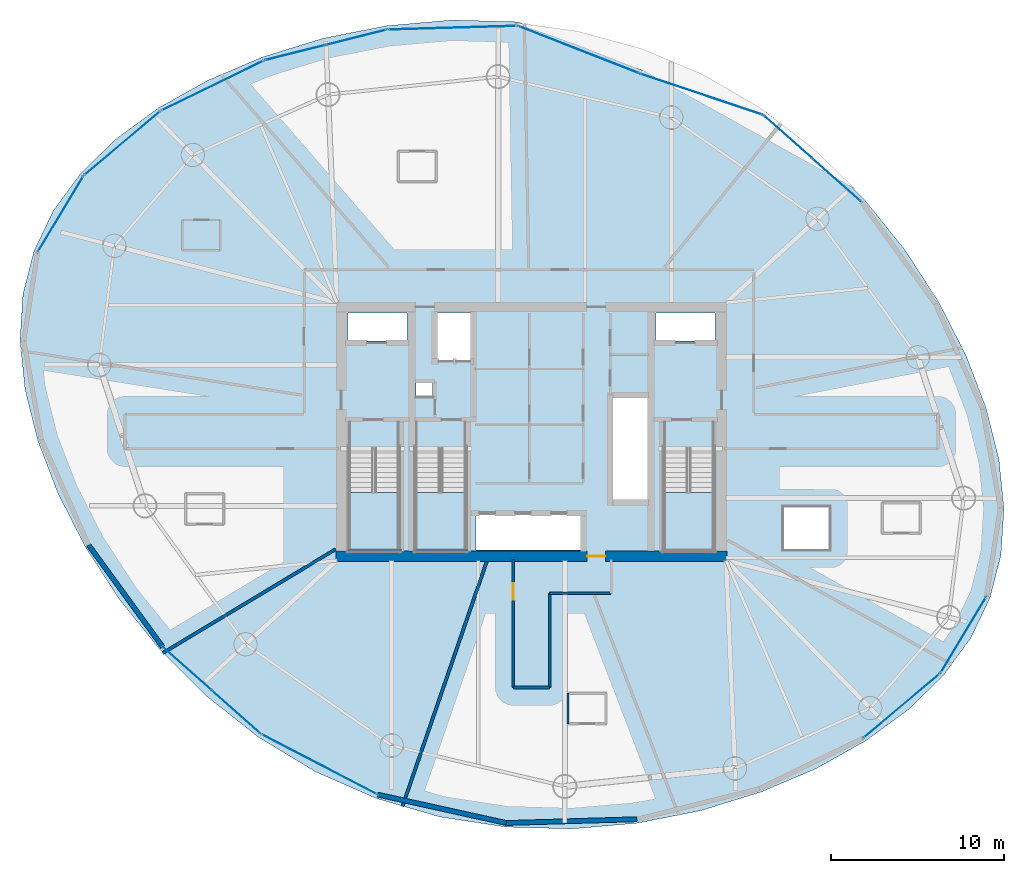
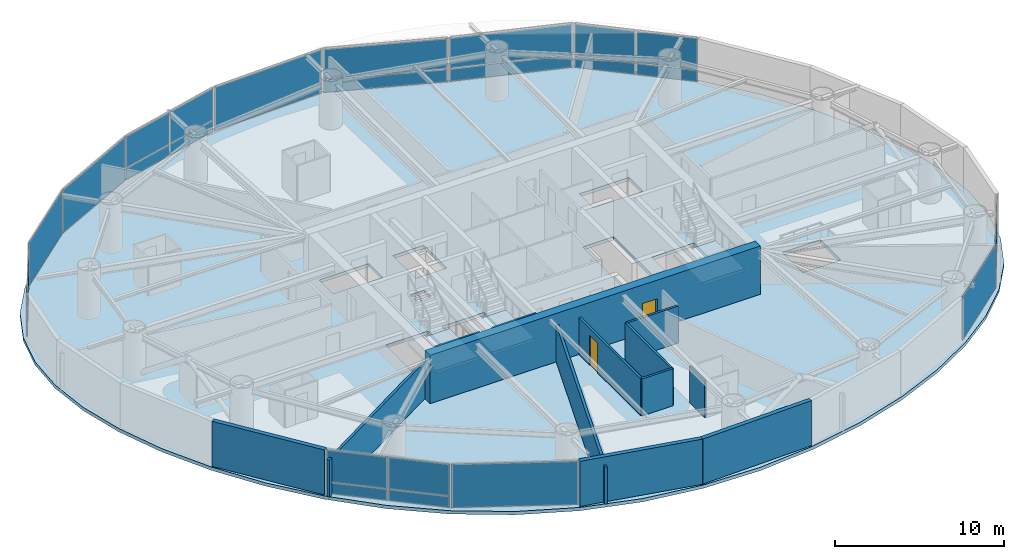
# One storey, part 13 of 20: 23 plates, 13 walls, 4 slabs, 2 doors, 2 openings, 15 elements without a shape of their own.
"""IFC4 building model written with IfcOpenShell, lengths in metres."""

import ifcopenshell
import ifcopenshell.guid

model = None  # the IFC model being written
_history = None  # IfcOwnerHistory: only IFC2X3 demands one
_inside = {}  # id of a spatial element -> (the spatial element, [elements in it])
_under = {}  # id of a project, library or spatial element -> (it, [spatial elements below it])
_declared = {}  # id of a project -> (the project, [libraries it declares])
_typed = {}  # id of a type object -> (the type object, [elements of that type])
_made_of = {}  # id of a material, layer set ... -> (it, [elements and type objects made of it])


def new_model(schema):
    """Start an empty IFC model of exactly this schema.

    Asked for "IFC4X3", IfcOpenShell would pick the latest addendum, in which some entities
    have other attributes; the version numbers below select the first issue.
    IFC2X3 requires an IfcOwnerHistory on every rooted entity: one is made here for all.
    """
    global model, _history
    if schema == "IFC4X3":
        model = ifcopenshell.file(schema_version=(4, 3, 0, 0))
    else:
        model = ifcopenshell.file(schema=schema)
    _inside.clear()
    _under.clear()
    _declared.clear()
    _typed.clear()
    _made_of.clear()
    _history = None
    if model.schema == "IFC2X3":
        org = make("IfcOrganization", Name="unknown")
        user = make(
            "IfcPersonAndOrganization",
            ThePerson=make("IfcPerson", FamilyName="unknown"),
            TheOrganization=org,
        )
        app = make(
            "IfcApplication",
            ApplicationDeveloper=org,
            Version="unknown",
            ApplicationFullName="unknown",
            ApplicationIdentifier="unknown",
        )
        _history = make(
            "IfcOwnerHistory",
            OwningUser=user,
            OwningApplication=app,
            ChangeAction="ADDED",
            CreationDate=0,
        )
    return model


def make(cls, **values):
    """One entity of the class cls with the attributes given. An attribute that is None is left unset."""
    return model.create_entity(
        cls, **{name: value for name, value in values.items() if value is not None}
    )


def rooted(cls, **values):
    """An entity with a GlobalId (a new one), such as an element, a storey or a relation."""
    return make(cls, GlobalId=ifcopenshell.guid.new(), OwnerHistory=_history, **values)


def si_unit(unit_type, name, prefix=None):
    """IfcSIUnit, for example si_unit("LENGTHUNIT", "METRE", prefix="MILLI")."""
    return make("IfcSIUnit", UnitType=unit_type, Prefix=prefix, Name=name)


def assignment(units):
    """IfcUnitAssignment: the units of a project."""
    return None if units is None else make("IfcUnitAssignment", Units=units)


def point(xyz):
    """IfcCartesianPoint."""
    return None if xyz is None else make("IfcCartesianPoint", Coordinates=xyz)


def direction(xyz):
    """IfcDirection."""
    return None if xyz is None else make("IfcDirection", DirectionRatios=xyz)


def frame(location, z_axis=None, x_axis=None):
    """IfcAxis2Placement3D, a coordinate frame: its origin and axes. An axis left out is left unset."""
    return make(
        "IfcAxis2Placement3D",
        Location=point(location),
        Axis=direction(z_axis),
        RefDirection=direction(x_axis),
    )


def frame_2d(location, x_axis=None):
    """IfcAxis2Placement2D, a coordinate frame in the plane: its origin and x axis."""
    return make(
        "IfcAxis2Placement2D", Location=point(location), RefDirection=direction(x_axis)
    )


def origin():
    """The frame at (0, 0, 0) with its axes left unset."""
    return frame((0.0, 0.0, 0.0))


def origin_2d():
    """The frame at (0, 0) in the plane with its x axis left unset."""
    return frame_2d((0.0, 0.0))


def place(relative_to, where):
    """IfcLocalPlacement: puts the frame where relative to a parent placement (None: the world)."""
    return make(
        "IfcLocalPlacement", PlacementRelTo=relative_to, RelativePlacement=where
    )


def context(
    kind, dimensions, precision=None, world=None, true_north=None, identifier=None
):
    """IfcGeometricRepresentationContext, for example the 3D "Model" context."""
    return make(
        "IfcGeometricRepresentationContext",
        ContextIdentifier=identifier,
        ContextType=kind,
        CoordinateSpaceDimension=dimensions,
        Precision=precision,
        WorldCoordinateSystem=world,
        TrueNorth=true_north,
    )


def subcontext(parent, identifier, kind, view, scale=None):
    """IfcGeometricRepresentationSubContext, for example "Body" below "Model"."""
    return make(
        "IfcGeometricRepresentationSubContext",
        ContextIdentifier=identifier,
        ContextType=kind,
        ParentContext=parent,
        TargetScale=scale,
        TargetView=view,
    )


def project(units=None, contexts=None):
    """IfcProject with its units and contexts."""
    return rooted(
        "IfcProject",
        Name="project",
        RepresentationContexts=contexts,
        UnitsInContext=assignment(units),
    )


def spatial(cls, under=None, at=None, **own):
    """A site, building, storey or space (cls), placed at a placement, below another one or the project."""
    s = rooted(cls, ObjectPlacement=at, **own)
    if under is not None:
        _under.setdefault(under.id(), (under, []))[1].append(s)
    return s


def polyline(points):
    """IfcPolyline through the points."""
    return make("IfcPolyline", Points=[point(p) for p in points])


def profile(cls, at=None, kind="AREA", **sizes):
    """A parametric profile (cls). Its sizes go by their IFC names, for example OverallWidth=200.0."""
    return make(cls, ProfileType=kind, Position=at, **sizes)


def rectangle(**sizes):
    """IfcRectangleProfileDef."""
    return profile("IfcRectangleProfileDef", **sizes)


def outline(outer, holes=None, kind="AREA"):
    """IfcArbitraryClosedProfileDef: a profile drawn as a closed curve; with holes, ...WithVoids."""
    if holes is None:
        return make("IfcArbitraryClosedProfileDef", ProfileType=kind, OuterCurve=outer)
    return make(
        "IfcArbitraryProfileDefWithVoids",
        ProfileType=kind,
        OuterCurve=outer,
        InnerCurves=holes,
    )


def extrude(swept, where, along, depth):
    """IfcExtrudedAreaSolid: the profile swept, set in the frame where, extruded along a direction by depth."""
    return make(
        "IfcExtrudedAreaSolid",
        SweptArea=swept,
        Position=where,
        ExtrudedDirection=direction(along),
        Depth=depth,
    )


def shape(context_of_items, identifier, shape_type, items):
    """IfcShapeRepresentation: the items that make up one representation, for example the "Body"."""
    return make(
        "IfcShapeRepresentation",
        ContextOfItems=context_of_items,
        RepresentationIdentifier=identifier,
        RepresentationType=shape_type,
        Items=items,
    )


def material(Name=None, Category=None):
    """IfcMaterial."""
    return make("IfcMaterial", Name=Name, Category=Category)


def layer(
    of_material, thickness, ventilated=None, Name=None, Category=None, Priority=None
):
    """IfcMaterialLayer: one layer of a wall or slab, of a material (None: an air gap)."""
    return make(
        "IfcMaterialLayer",
        Material=of_material,
        LayerThickness=thickness,
        IsVentilated=ventilated,
        Name=Name,
        Category=Category,
        Priority=Priority,
    )


def layer_set(layers, Name=None):
    """IfcMaterialLayerSet."""
    return make("IfcMaterialLayerSet", MaterialLayers=layers, LayerSetName=Name)


def made_of(thing, what):
    """Note that an element or type object is made of a material, layer set ...; save() writes the relation."""
    if what is not None:
        _made_of.setdefault(what.id(), (what, []))[1].append(thing)
    return thing


def type_object(cls, material=None, **own):
    """A type object (cls), such as IfcWallType, which elements share."""
    return made_of(rooted(cls, **own), material)


def element(
    cls,
    number,
    at=None,
    inside=None,
    cuts=None,
    type_object=None,
    material=None,
    context=None,
    identifier="Body",
    shape_type=None,
    held_by="IfcProductDefinitionShape",
    body=None,
    shapes=None,
    **own,
):
    """One element of the class cls, such as IfcWall. Its Tag is "e" and its number.

    at: its placement. inside: the storey or other place that contains it. cuts: it is an
    opening in that element (IfcRelVoidsElement). A single representation is given by context,
    identifier, shape_type and body (its items); several are given by shapes. held_by: the class
    of the entity that holds the representations. save() writes the other relations.
    """
    e = rooted(cls, Tag="e%d" % number, ObjectPlacement=at, **own)
    if body is not None:
        shapes = [shape(context, identifier, shape_type, body)]
    if shapes is not None:
        e.Representation = make(held_by, Representations=shapes)
    if inside is not None:
        _inside.setdefault(inside.id(), (inside, []))[1].append(e)
    if cuts is not None:
        rooted(
            "IfcRelVoidsElement", RelatingBuildingElement=cuts, RelatedOpeningElement=e
        )
    if type_object is not None:
        _typed.setdefault(type_object.id(), (type_object, []))[1].append(e)
    return made_of(e, material)


def fill(opening, filler):
    """IfcRelFillsElement: the door or window that sits in an opening."""
    return rooted(
        "IfcRelFillsElement",
        RelatingOpeningElement=opening,
        RelatedBuildingElement=filler,
    )


def aggregate(whole, parts):
    """IfcRelAggregates: a whole, such as a stair, and the parts it consists of."""
    return rooted("IfcRelAggregates", RelatingObject=whole, RelatedObjects=parts)


def save(model, path):
    """Write the relations noted so far, then the file.

    IfcRelAggregates (storeys below a building ...), IfcRelContainedInSpatialStructure (elements
    in a storey), IfcRelDefinesByType, IfcRelAssociatesMaterial and IfcRelDeclares: one each for
    every whole, place, type object, material and project.
    """
    for whole, parts in _under.values():
        aggregate(whole, parts)
    for where, things in _inside.values():
        rooted(
            "IfcRelContainedInSpatialStructure",
            RelatedElements=things,
            RelatingStructure=where,
        )
    for kind, things in _typed.values():
        rooted("IfcRelDefinesByType", RelatedObjects=things, RelatingType=kind)
    for what, things in _made_of.values():
        rooted("IfcRelAssociatesMaterial", RelatedObjects=things, RelatingMaterial=what)
    for by, libraries in _declared.values():
        rooted("IfcRelDeclares", RelatingContext=by, RelatedDefinitions=libraries)
    model.write(path)


model = new_model("IFC4")

# Units and contexts
model_context = context("Model", 3, precision=1e-05, world=origin(), true_north=direction((0.0, 1.0)))
body_context = subcontext(model_context, "Body", "Model", "MODEL_VIEW")
ifc_project = project(units=[si_unit("LENGTHUNIT", "METRE"), si_unit("AREAUNIT", "SQUARE_METRE"), si_unit("VOLUMEUNIT", "CUBIC_METRE"), si_unit("PLANEANGLEUNIT", "RADIAN"), si_unit("MASSUNIT", "GRAM", prefix="KILO")], contexts=[model_context])

# Site, building, storey
site_placement = place(None, origin())
site = spatial("IfcSite", under=ifc_project, at=site_placement, CompositionType="ELEMENT")
building_placement = place(site_placement, origin())
building = spatial("IfcBuilding", under=site, at=building_placement, Name="Bramvorn Convention Spire", CompositionType="ELEMENT")
storey_placement = place(building_placement, frame((0.0, 0.0, 113.300048828125)))
storey = spatial("IfcBuildingStorey", under=building, at=storey_placement, Name="L27", CompositionType="ELEMENT", Elevation=113.300048828125)

# Curtain wall, plates
ifc_material_1 = material(Name="Anodised Bronze Unitised Curtain Wall", Category="aluminium")
ifc_layer_1 = layer(ifc_material_1, 0.179931640625)
ifc_layer_set_1 = layer_set([ifc_layer_1], Name="Anodised Bronze Unitised Curtain Wall - CW-HTL-FRIT")
curtain_wall_type_1 = type_object("IfcCurtainWallType", Name="CW-HTL-FRIT", PredefinedType="USERDEFINED", material=ifc_layer_set_1)
curtain_wall_1_placement = place(storey_placement, origin())
curtain_wall_1 = element("IfcCurtainWall", 1, at=curtain_wall_1_placement, inside=storey, type_object=curtain_wall_type_1, Name="L27 fritted glass curtain wall 05", ObjectType="UNITISED CURTAIN WALL", PredefinedType="USERDEFINED")
ifc_material_2 = material(Name="Laminated Low-E Glass (Triple IGU Tapered Ceramic Frit 40%)", Category="glass")
ifc_layer_2 = layer(ifc_material_2, 0.0380859375)
ifc_layer_set_2 = layer_set([ifc_layer_2], Name="Laminated Low-E Glass (Triple IGU Tapered Ceramic Frit 40%) - PNL-IGU-2")
plate_type_1 = type_object("IfcPlateType", Name="PNL-IGU-2", PredefinedType="CURTAIN_PANEL", material=ifc_layer_set_2)
plate_1_placement = place(storey_placement, frame((52.827392578125, 43.033447265625, 0.059814453125), z_axis=(0.0, 0.0, 1.0), x_axis=(0.74837287228, -0.663278255362, 0.0)))
plate_1 = element("IfcPlate", 2, at=plate_1_placement, type_object=plate_type_1, Name="CW2 panel 1.1", PredefinedType="CURTAIN_PANEL", context=body_context, shape_type="SweptSolid", body=[
    extrude(rectangle(XDim=3.694580078125, YDim=0.028076171875, at=origin_2d()), origin(), (0.0, 0.0, 1.0), 0.81005859375),
])
plate_2_placement = place(storey_placement, frame((52.827392578125, 43.033447265625, 0.929931640625), z_axis=(0.0, 0.0, 1.0), x_axis=(0.74837287228, -0.663278255362, 0.0)))
plate_2 = element("IfcPlate", 3, at=plate_2_placement, type_object=plate_type_1, Name="CW2 panel 1.2", PredefinedType="CURTAIN_PANEL", context=body_context, shape_type="SweptSolid", body=[
    extrude(rectangle(XDim=3.694580078125, YDim=0.028076171875, at=origin_2d()), origin(), (0.0, 0.0, 1.0), 2.27001953125),
])
plate_3_placement = place(storey_placement, frame((55.63720703125, 40.54296875, 0.059814453125), z_axis=(0.0, 0.0, 1.0), x_axis=(0.74837287228, -0.663278255362, 0.0)))
plate_3 = element("IfcPlate", 4, at=plate_3_placement, type_object=plate_type_1, Name="CW2 panel 2.1", PredefinedType="CURTAIN_PANEL", context=body_context, shape_type="SweptSolid", body=[
    extrude(rectangle(XDim=3.694580078125, YDim=0.028076171875, at=origin_2d()), origin(), (0.0, 0.0, 1.0), 0.81005859375),
])
plate_4_placement = place(storey_placement, frame((55.63720703125, 40.54296875, 0.929931640625), z_axis=(0.0, 0.0, 1.0), x_axis=(0.74837287228, -0.663278255362, 0.0)))
plate_4 = element("IfcPlate", 5, at=plate_4_placement, type_object=plate_type_1, Name="CW2 panel 2.2", PredefinedType="CURTAIN_PANEL", context=body_context, shape_type="SweptSolid", body=[
    extrude(rectangle(XDim=3.694580078125, YDim=0.028076171875, at=origin_2d()), origin(), (0.0, 0.0, 1.0), 2.27001953125),
])
aggregate(curtain_wall_1, [plate_1, plate_2, plate_3, plate_4])

# Curtain wall, plate
curtain_wall_2_placement = place(storey_placement, origin())
curtain_wall_2 = element("IfcCurtainWall", 6, at=curtain_wall_2_placement, inside=storey, type_object=curtain_wall_type_1, Name="L27 fritted glass curtain wall 08", ObjectType="UNITISED CURTAIN WALL", PredefinedType="USERDEFINED")
plate_5_placement = place(storey_placement, frame((33.418701171875, 49.34326171875, 0.06005859375), z_axis=(0.0, 0.0, 1.0), x_axis=(0.999585540852, 0.028787957886, 0.0)))
plate_5 = element("IfcPlate", 7, at=plate_5_placement, type_object=plate_type_1, Name="CW2 panel 1.1", PredefinedType="CURTAIN_PANEL", context=body_context, shape_type="SweptSolid", body=[
    extrude(rectangle(XDim=7.44921875, YDim=0.028076171875, at=origin_2d()), origin(), (0.0, 0.0, 1.0), 3.139892578125),
])
aggregate(curtain_wall_2, [plate_5])

# Curtain wall, plates
curtain_wall_3_placement = place(storey_placement, origin())
curtain_wall_3 = element("IfcCurtainWall", 8, at=curtain_wall_3_placement, inside=storey, type_object=curtain_wall_type_1, Name="L27 fritted glass curtain wall 09", ObjectType="UNITISED CURTAIN WALL", PredefinedType="USERDEFINED")
plate_6_placement = place(storey_placement, frame((24.345458984375, 47.907958984375, 0.059814453125), z_axis=(0.0, 0.0, 1.0), x_axis=(0.969975282464, 0.243203518497, 0.0)))
plate_6 = element("IfcPlate", 9, at=plate_6_placement, type_object=plate_type_1, Name="CW2 panel 1.1", PredefinedType="CURTAIN_PANEL", context=body_context, shape_type="SweptSolid", body=[
    extrude(rectangle(XDim=3.555908203125, YDim=0.028076171875, at=origin_2d()), origin(), (0.0, 0.0, 1.0), 0.81005859375),
])
plate_7_placement = place(storey_placement, frame((24.345458984375, 47.907958984375, 0.929931640625), z_axis=(0.0, 0.0, 1.0), x_axis=(0.969975282464, 0.243203518497, 0.0)))
plate_7 = element("IfcPlate", 10, at=plate_7_placement, type_object=plate_type_1, Name="CW2 panel 1.2", PredefinedType="CURTAIN_PANEL", context=body_context, shape_type="SweptSolid", body=[
    extrude(rectangle(XDim=3.555908203125, YDim=0.028076171875, at=origin_2d()), origin(), (0.0, 0.0, 1.0), 2.27001953125),
])
plate_8_placement = place(storey_placement, frame((27.852783203125, 48.787353515625, 0.059814453125), z_axis=(0.0, 0.0, 1.0), x_axis=(0.969975282464, 0.243203518497, 0.0)))
plate_8 = element("IfcPlate", 11, at=plate_8_placement, type_object=plate_type_1, Name="CW2 panel 2.1", PredefinedType="CURTAIN_PANEL", context=body_context, shape_type="SweptSolid", body=[
    extrude(rectangle(XDim=3.555908203125, YDim=0.028076171875, at=origin_2d()), origin(), (0.0, 0.0, 1.0), 0.81005859375),
])
plate_9_placement = place(storey_placement, frame((27.852783203125, 48.787353515625, 0.929931640625), z_axis=(0.0, 0.0, 1.0), x_axis=(0.969975282464, 0.243203518497, 0.0)))
plate_9 = element("IfcPlate", 12, at=plate_9_placement, type_object=plate_type_1, Name="CW2 panel 2.2", PredefinedType="CURTAIN_PANEL", context=body_context, shape_type="SweptSolid", body=[
    extrude(rectangle(XDim=3.555908203125, YDim=0.028076171875, at=origin_2d()), origin(), (0.0, 0.0, 1.0), 2.27001953125),
])
aggregate(curtain_wall_3, [plate_6, plate_7, plate_8, plate_9])

# Curtain wall, plate
curtain_wall_4_placement = place(storey_placement, origin())
curtain_wall_4 = element("IfcCurtainWall", 13, at=curtain_wall_4_placement, inside=storey, type_object=curtain_wall_type_1, Name="L27 fritted glass curtain wall 10", ObjectType="UNITISED CURTAIN WALL", PredefinedType="USERDEFINED")
plate_10_placement = place(storey_placement, frame((19.56640625, 46.001953125, 0.06005859375), z_axis=(0.0, 0.0, 1.0), x_axis=(0.899076946996, 0.437790638754, 0.0)))
plate_10 = element("IfcPlate", 14, at=plate_10_placement, type_object=plate_type_1, Name="CW2 panel 1.1", PredefinedType="CURTAIN_PANEL", context=body_context, shape_type="SweptSolid", body=[
    extrude(rectangle(XDim=6.545166015625, YDim=0.028076171875, at=origin_2d()), origin(), (0.0, 0.0, 1.0), 3.139892578125),
])
aggregate(curtain_wall_4, [plate_10])

curtain_wall_5_placement = place(storey_placement, origin())
curtain_wall_5 = element("IfcCurtainWall", 15, at=curtain_wall_5_placement, inside=storey, type_object=curtain_wall_type_1, Name="L27 fritted glass curtain wall 11", ObjectType="UNITISED CURTAIN WALL", PredefinedType="USERDEFINED")
plate_11_placement = place(storey_placement, frame((14.34033203125, 42.67138671875, 0.06005859375), z_axis=(0.0, 0.0, 1.0), x_axis=(0.765958548022, 0.642889961589, 0.0)))
plate_11 = element("IfcPlate", 16, at=plate_11_placement, type_object=plate_type_1, Name="CW2 panel 1.1", PredefinedType="CURTAIN_PANEL", context=body_context, shape_type="SweptSolid", body=[
    extrude(rectangle(XDim=5.702880859375, YDim=0.028076171875, at=origin_2d()), origin(), (0.0, 0.0, 1.0), 3.139892578125),
])
aggregate(curtain_wall_5, [plate_11])

curtain_wall_6_placement = place(storey_placement, origin())
curtain_wall_6 = element("IfcCurtainWall", 17, at=curtain_wall_6_placement, inside=storey, type_object=curtain_wall_type_1, Name="L27 fritted glass curtain wall 12", ObjectType="UNITISED CURTAIN WALL", PredefinedType="USERDEFINED")
plate_12_placement = place(storey_placement, frame((10.776611328125, 38.582763671875, 0.06005859375), z_axis=(0.0, 0.0, 1.0), x_axis=(0.515470262723, 0.856907467728, 0.0)))
plate_12 = element("IfcPlate", 18, at=plate_12_placement, type_object=plate_type_1, Name="CW2 panel 1.1", PredefinedType="CURTAIN_PANEL", context=body_context, shape_type="SweptSolid", body=[
    extrude(rectangle(XDim=5.05419921875, YDim=0.028076171875, at=origin_2d()), origin(), (0.0, 0.0, 1.0), 3.139892578125),
])
aggregate(curtain_wall_6, [plate_12])

# Curtain wall, plates
curtain_wall_7_placement = place(storey_placement, origin())
curtain_wall_7 = element("IfcCurtainWall", 19, at=curtain_wall_7_placement, inside=storey, type_object=curtain_wall_type_1, Name="L27 fritted glass curtain wall 17", ObjectType="UNITISED CURTAIN WALL", PredefinedType="USERDEFINED")
plate_13_placement = place(storey_placement, frame((20.916748046875, 9.785400390625, 0.059814453125), z_axis=(0.0, 0.0, 1.0), x_axis=(-0.748379430175, 0.663270856054, 0.0)))
plate_13 = element("IfcPlate", 20, at=plate_13_placement, type_object=plate_type_1, Name="CW2 panel 1.1", PredefinedType="CURTAIN_PANEL", context=body_context, shape_type="SweptSolid", body=[
    extrude(rectangle(XDim=3.694580078125, YDim=0.028076171875, at=origin_2d()), origin(), (0.0, 0.0, 1.0), 0.81005859375),
])
plate_14_placement = place(storey_placement, frame((20.916748046875, 9.785400390625, 0.929931640625), z_axis=(0.0, 0.0, 1.0), x_axis=(-0.748379430175, 0.663270856054, 0.0)))
plate_14 = element("IfcPlate", 21, at=plate_14_placement, type_object=plate_type_1, Name="CW2 panel 1.2", PredefinedType="CURTAIN_PANEL", context=body_context, shape_type="SweptSolid", body=[
    extrude(rectangle(XDim=3.694580078125, YDim=0.028076171875, at=origin_2d()), origin(), (0.0, 0.0, 1.0), 2.27001953125),
])
plate_15_placement = place(storey_placement, frame((18.10693359375, 12.275634765625, 0.059814453125), z_axis=(0.0, 0.0, 1.0), x_axis=(-0.748379430175, 0.663270856054, 0.0)))
plate_15 = element("IfcPlate", 22, at=plate_15_placement, type_object=plate_type_1, Name="CW2 panel 2.1", PredefinedType="CURTAIN_PANEL", context=body_context, shape_type="SweptSolid", body=[
    extrude(rectangle(XDim=3.694580078125, YDim=0.028076171875, at=origin_2d()), origin(), (0.0, 0.0, 1.0), 0.81005859375),
])
plate_16_placement = place(storey_placement, frame((18.10693359375, 12.275634765625, 0.929931640625), z_axis=(0.0, 0.0, 1.0), x_axis=(-0.748379430175, 0.663270856054, 0.0)))
plate_16 = element("IfcPlate", 23, at=plate_16_placement, type_object=plate_type_1, Name="CW2 panel 2.2", PredefinedType="CURTAIN_PANEL", context=body_context, shape_type="SweptSolid", body=[
    extrude(rectangle(XDim=3.694580078125, YDim=0.028076171875, at=origin_2d()), origin(), (0.0, 0.0, 1.0), 2.27001953125),
])
aggregate(curtain_wall_7, [plate_13, plate_14, plate_15, plate_16])

# Curtain wall, plate
curtain_wall_8_placement = place(storey_placement, origin())
curtain_wall_8 = element("IfcCurtainWall", 24, at=curtain_wall_8_placement, inside=storey, type_object=curtain_wall_type_1, Name="L27 fritted glass curtain wall 18", ObjectType="UNITISED CURTAIN WALL", PredefinedType="USERDEFINED")
plate_17_placement = place(storey_placement, frame((25.72412109375, 6.764892578125, 0.06005859375), z_axis=(0.0, 0.0, 1.0), x_axis=(-0.887431641892, 0.460939346301, 0.0)))
plate_17 = element("IfcPlate", 25, at=plate_17_placement, type_object=plate_type_1, Name="CW2 panel 1.1", PredefinedType="CURTAIN_PANEL", context=body_context, shape_type="SweptSolid", body=[
    extrude(rectangle(XDim=7.49755859375, YDim=0.028076171875, at=origin_2d()), origin(), (0.0, 0.0, 1.0), 3.139892578125),
])
aggregate(curtain_wall_8, [plate_17])

curtain_wall_9_placement = place(storey_placement, origin())
curtain_wall_9 = element("IfcCurtainWall", 26, at=curtain_wall_9_placement, inside=storey, type_object=curtain_wall_type_1, Name="L27 fritted glass curtain wall 23", ObjectType="UNITISED CURTAIN WALL", PredefinedType="USERDEFINED")
plate_18_placement = place(storey_placement, frame((59.40380859375, 10.147705078125, 0.06005859375), z_axis=(0.0, 0.0, 1.0), x_axis=(-0.765951449757, -0.642898418582, 0.0)))
plate_18 = element("IfcPlate", 27, at=plate_18_placement, type_object=plate_type_1, Name="CW2 panel 1.1", PredefinedType="CURTAIN_PANEL", context=body_context, shape_type="SweptSolid", body=[
    extrude(rectangle(XDim=5.70263671875, YDim=0.028076171875, at=origin_2d()), origin(), (0.0, 0.0, 1.0), 3.139892578125),
])
aggregate(curtain_wall_9, [plate_18])

curtain_wall_10_placement = place(storey_placement, origin())
curtain_wall_10 = element("IfcCurtainWall", 28, at=curtain_wall_10_placement, inside=storey, type_object=curtain_wall_type_1, Name="L27 fritted glass curtain wall 24", ObjectType="UNITISED CURTAIN WALL", PredefinedType="USERDEFINED")
plate_19_placement = place(storey_placement, frame((62.96728515625, 14.236328125, 0.06005859375), z_axis=(0.0, 0.0, 1.0), x_axis=(-0.515470262723, -0.856907467728, 0.0)))
plate_19 = element("IfcPlate", 29, at=plate_19_placement, type_object=plate_type_1, Name="CW2 panel 1.1", PredefinedType="CURTAIN_PANEL", context=body_context, shape_type="SweptSolid", body=[
    extrude(rectangle(XDim=5.05419921875, YDim=0.028076171875, at=origin_2d()), origin(), (0.0, 0.0, 1.0), 3.139892578125),
])
aggregate(curtain_wall_10, [plate_19])

# Curtain wall, plates
ifc_layer_3 = layer(ifc_material_1, 0.219970703125)
ifc_layer_set_3 = layer_set([ifc_layer_3], Name="Anodised Bronze Unitised Curtain Wall - CW-SKYGARDEN")
curtain_wall_type_2 = type_object("IfcCurtainWallType", Name="CW-SKYGARDEN", PredefinedType="USERDEFINED", material=ifc_layer_set_3)
curtain_wall_11_placement = place(storey_placement, origin())
curtain_wall_11 = element("IfcCurtainWall", 30, at=curtain_wall_11_placement, inside=storey, type_object=curtain_wall_type_2, Name="L27 Sky Garden glazed facade 06", ObjectType="WINTER GARDEN GLAZING", PredefinedType="USERDEFINED")
ifc_material_3 = material(Name="Laminated Low-E Glass (Acoustic Laminated Podium Triple IGU)", Category="glass")
ifc_layer_4 = layer(ifc_material_3, 0.0458984375)
ifc_layer_set_4 = layer_set([ifc_layer_4], Name="Laminated Low-E Glass (Acoustic Laminated Podium Triple IGU) - PNL-IGU-5")
plate_type_2 = type_object("IfcPlateType", Name="PNL-IGU-5", PredefinedType="CURTAIN_PANEL", material=ifc_layer_set_4)
plate_20_placement = place(storey_placement, frame((47.819091796875, 45.50048828125, 0.06005859375), z_axis=(0.0, 0.0, 1.0), x_axis=(0.948012706234, -0.318232476059, 0.0)))
plate_20 = element("IfcPlate", 31, at=plate_20_placement, type_object=plate_type_2, Name="CW4 panel 1.1", PredefinedType="CURTAIN_PANEL", context=body_context, shape_type="SweptSolid", body=[
    extrude(rectangle(XDim=7.4345703125, YDim=0.028076171875, at=origin_2d()), origin(), (0.0, 0.0, 1.0), 0.909912109375),
])
plate_21_placement = place(storey_placement, frame((47.819091796875, 45.50048828125, 1.030029296875), z_axis=(0.0, 0.0, 1.0), x_axis=(0.948012706234, -0.318232476059, 0.0)))
plate_21 = element("IfcPlate", 32, at=plate_21_placement, type_object=plate_type_2, Name="CW4 panel 1.2", PredefinedType="CURTAIN_PANEL", context=body_context, shape_type="SweptSolid", body=[
    extrude(rectangle(XDim=7.4345703125, YDim=0.028076171875, at=origin_2d()), origin(), (0.0, 0.0, 1.0), 2.169921875),
])
aggregate(curtain_wall_11, [plate_20, plate_21])

curtain_wall_12_placement = place(storey_placement, origin())
curtain_wall_12 = element("IfcCurtainWall", 33, at=curtain_wall_12_placement, inside=storey, type_object=curtain_wall_type_2, Name="L27 Sky Garden glazed facade 07", ObjectType="WINTER GARDEN GLAZING", PredefinedType="USERDEFINED")
plate_22_placement = place(storey_placement, frame((40.719970703125, 48.077392578125, 0.06005859375), z_axis=(0.0, 0.0, 1.0), x_axis=(0.931413953551, -0.363961601175, 0.0)))
plate_22 = element("IfcPlate", 34, at=plate_22_placement, type_object=plate_type_2, Name="CW4 panel 1.1", PredefinedType="CURTAIN_PANEL", context=body_context, shape_type="SweptSolid", body=[
    extrude(rectangle(XDim=7.4345703125, YDim=0.028076171875, at=origin_2d()), origin(), (0.0, 0.0, 1.0), 0.909912109375),
])
plate_23_placement = place(storey_placement, frame((40.719970703125, 48.077392578125, 1.030029296875), z_axis=(0.0, 0.0, 1.0), x_axis=(0.931413953551, -0.363961601175, 0.0)))
plate_23 = element("IfcPlate", 35, at=plate_23_placement, type_object=plate_type_2, Name="CW4 panel 1.2", PredefinedType="CURTAIN_PANEL", context=body_context, shape_type="SweptSolid", body=[
    extrude(rectangle(XDim=7.4345703125, YDim=0.028076171875, at=origin_2d()), origin(), (0.0, 0.0, 1.0), 2.169921875),
])
aggregate(curtain_wall_12, [plate_22, plate_23])

# Stair, slab
ifc_material_4 = material(Name="Concrete C40/50 Precast Stair", Category="concrete")
stair_type = type_object("IfcStairType", Name="ST-TOWER-1550", PredefinedType="HALF_TURN_STAIR", material=ifc_material_4)
stair_1_placement = place(storey_placement, origin())
stair_1 = element("IfcStair", 36, at=stair_1_placement, inside=storey, type_object=stair_type, Name="L27 Protected Exit Stair ST1", PredefinedType="HALF_TURN_STAIR")
ifc_material_5 = material(Name="Concrete C40/50 Stair Landing", Category="concrete")
ifc_layer_5 = layer(ifc_material_5, 0.219970703125)
ifc_layer_set_5 = layer_set([ifc_layer_5], Name="Concrete C40/50 Stair Landing - SLB-STAIR-LANDING")
slab_type_1 = type_object("IfcSlabType", Name="SLB-STAIR-LANDING", PredefinedType="LANDING", material=ifc_layer_set_5)
slab_1_placement = place(storey_placement, frame((0.0, 0.0, 1.550048828125)))
slab_1 = element("IfcSlab", 37, at=slab_1_placement, type_object=slab_type_1, Name="ST1 landing 1", PredefinedType="LANDING", context=body_context, shape_type="SweptSolid", body=[
    extrude(outline(polyline([(27.449951171875, 22.485107421875), (27.449951171875, 19.10009765625), (30.35009765625, 19.10009765625), (30.35009765625, 22.485107421875), (27.449951171875, 22.485107421875)])), origin(), (0.0, 0.0, 1.0), 0.199951171875),
])
aggregate(stair_1, [slab_1])

stair_2_placement = place(storey_placement, origin())
stair_2 = element("IfcStair", 38, at=stair_2_placement, inside=storey, type_object=stair_type, Name="L27 Protected Exit Stair ST2", PredefinedType="HALF_TURN_STAIR")
slab_2_placement = place(storey_placement, frame((0.0, 0.0, 1.550048828125)))
slab_2 = element("IfcSlab", 39, at=slab_2_placement, type_object=slab_type_1, Name="ST2 landing 1", PredefinedType="LANDING", context=body_context, shape_type="SweptSolid", body=[
    extrude(outline(polyline([(45.64990234375, 22.485107421875), (45.64990234375, 19.10009765625), (48.550048828125, 19.10009765625), (48.550048828125, 22.485107421875), (45.64990234375, 22.485107421875)])), origin(), (0.0, 0.0, 1.0), 0.199951171875),
])
aggregate(stair_2, [slab_2])

stair_3_placement = place(storey_placement, origin())
stair_3 = element("IfcStair", 40, at=stair_3_placement, inside=storey, type_object=stair_type, Name="L27 Protected Exit Stair ST3", PredefinedType="HALF_TURN_STAIR")
slab_3_placement = place(storey_placement, frame((0.0, 0.0, 1.550048828125)))
slab_3 = element("IfcSlab", 41, at=slab_3_placement, type_object=slab_type_1, Name="ST3 landing 1", PredefinedType="LANDING", context=body_context, shape_type="SweptSolid", body=[
    extrude(outline(polyline([(31.300048828125, 22.485107421875), (31.300048828125, 19.10009765625), (34.199951171875, 19.10009765625), (34.199951171875, 22.485107421875), (31.300048828125, 22.485107421875)])), origin(), (0.0, 0.0, 1.0), 0.199951171875),
])
aggregate(stair_3, [slab_3])

# Slab
ifc_material_6 = material(Name="Concrete C50/60", Category="concrete")
ifc_layer_6 = layer(ifc_material_6, 0.239990234375)
ifc_layer_set_6 = layer_set([ifc_layer_6], Name="Concrete C50/60 - SLB-Z2-240")
slab_type_2 = type_object("IfcSlabType", Name="SLB-Z2-240", PredefinedType="FLOOR", material=ifc_layer_set_6)
slab_4_placement = place(storey_placement, frame((0.0, 0.0, -0.239990234375)))
element("IfcSlab", 42, at=slab_4_placement, inside=storey, type_object=slab_type_2, Name="L27 tower floor slab", PredefinedType="FLOOR", context=body_context, shape_type="SweptSolid", body=[
    extrude(outline(polyline([(64.5078125, 16.378173828125), (65.146484375, 18.87548828125), (65.316650390625, 21.54296875), (65.02783203125, 24.370361328125), (64.293701171875, 27.33251953125), (63.12939453125, 30.38720703125), (61.552490234375, 33.473876953125), (59.580810546875, 36.51611328125), (57.235595703125, 39.4267578125), (54.5419921875, 42.11474609375), (51.531005859375, 44.49267578125), (47.859619140625, 45.810302734375), (44.318603515625, 46.924072265625), (40.887451171875, 48.341064453125), (37.2255859375, 49.685302734375), (33.390380859375, 49.79248046875), (29.599853515625, 49.4580078125), (25.93359375, 48.7294921875), (22.469482421875, 47.66015625), (19.27978515625, 46.303955078125), (16.42724609375, 44.707275390625), (13.9638671875, 42.90576171875), (11.9287109375, 40.921875), (10.347900390625, 38.766357421875), (9.236328125, 36.440673828125), (8.597412109375, 33.943603515625), (8.42724609375, 31.27587890625), (8.716064453125, 28.448486328125), (9.4501953125, 25.486328125), (10.614501953125, 22.431640625), (12.191650390625, 19.34521484375), (14.163330078125, 16.302734375), (16.508544921875, 13.39208984375), (19.2021484375, 10.7041015625), (22.213134765625, 8.326416015625), (25.502685546875, 6.334228515625), (29.02294921875, 4.785888671875), (32.717041015625, 3.7158203125), (36.518310546875, 3.1337890625), (40.353515625, 3.026611328125), (44.144287109375, 3.36083984375), (47.810546875, 4.089599609375), (51.2744140625, 5.15869140625), (54.46435546875, 6.514892578125), (57.31689453125, 8.111572265625), (59.7802734375, 9.9130859375), (61.8154296875, 11.89697265625), (63.39599609375, 14.052490234375), (64.5078125, 16.378173828125)]), holes=[polyline([(27.449951171875, 25.050048828125), (27.449951171875, 19.10009765625), (30.35009765625, 19.10009765625), (30.35009765625, 25.050048828125), (27.449951171875, 25.050048828125)]), polyline([(45.64990234375, 25.050048828125), (45.64990234375, 19.10009765625), (48.550048828125, 19.10009765625), (48.550048828125, 25.050048828125), (45.64990234375, 25.050048828125)]), polyline([(31.300048828125, 25.050048828125), (31.300048828125, 19.10009765625), (34.199951171875, 19.10009765625), (34.199951171875, 25.050048828125), (31.300048828125, 25.050048828125)]), polyline([(27.39990234375, 31.219970703125), (30.800048828125, 31.219970703125), (30.800048828125, 32.85009765625), (27.39990234375, 32.85009765625), (27.39990234375, 31.219970703125)]), polyline([(45.199951171875, 31.219970703125), (48.60009765625, 31.219970703125), (48.60009765625, 32.85009765625), (45.199951171875, 32.85009765625), (45.199951171875, 31.219970703125)]), polyline([(32.449951171875, 30.14990234375), (34.56005859375, 30.14990234375), (34.56005859375, 32.85009765625), (32.449951171875, 32.85009765625), (32.449951171875, 30.14990234375)]), polyline([(34.800048828125, 19.14990234375), (40.97998046875, 19.14990234375), (40.97998046875, 21.199951171875), (34.800048828125, 21.199951171875), (34.800048828125, 19.14990234375)]), polyline([(42.6201171875, 22.0), (44.75, 22.0), (44.75, 28.0), (42.6201171875, 28.0), (42.6201171875, 22.0)]), polyline([(31.320068359375, 28.02001953125), (32.280029296875, 28.02001953125), (32.280029296875, 28.820068359375), (31.320068359375, 28.820068359375), (31.320068359375, 28.02001953125)]), polyline([(52.60009765625, 19.199951171875), (55.199951171875, 19.199951171875), (55.199951171875, 21.60009765625), (52.60009765625, 21.60009765625), (52.60009765625, 19.199951171875)])]), origin(), (0.0, 0.0, 1.0), 0.239990234375),
])

# Wall, opening, door
ifc_material_7 = material(Name="Concrete C60/70", Category="concrete")
ifc_layer_7 = layer(ifc_material_7, 0.60009765625)
ifc_layer_set_7 = layer_set([ifc_layer_7], Name="Concrete C60/70 - WL-CORE-600")
wall_type_1 = type_object("IfcWallType", Name="WL-CORE-600", PredefinedType="SHEAR", material=ifc_layer_set_7)
wall_1_placement = place(storey_placement, frame((26.699951171875, 18.800048828125, 0.0), z_axis=(0.0, 0.0, 1.0), x_axis=(1.0, 0.0, 0.0)))
wall_1 = element("IfcWall", 43, at=wall_1_placement, inside=storey, type_object=wall_type_1, Name="L27 South RC core shear wall", PredefinedType="SHEAR", context=body_context, shape_type="SweptSolid", body=[
    extrude(rectangle(XDim=22.60009765625, YDim=0.60009765625, at=frame_2d((11.300048828125, 0.0))), origin(), (0.0, 0.0, 1.0), 3.5),
])
opening_1_placement = place(wall_1_placement, frame((14.52001953125, 0.0, 0.0)))
opening_1 = element("IfcOpeningElement", 44, at=opening_1_placement, cuts=wall_1, Name="Opening DL-105", PredefinedType="OPENING", context=body_context, shape_type="SweptSolid", body=[
    extrude(rectangle(XDim=1.050048828125, YDim=2.14990234375, at=frame_2d((0.52490234375, 1.074951171875))), frame((0.0, 0.31005859375, 0.0), z_axis=(0.0, -1.0, 0.0), x_axis=(1.0, 0.0, 0.0)), (0.0, 0.0, 1.0), 0.6201171875),
])
ifc_material_8 = material(Name="Smoke-Sealed Fire Lobby Timber-Core Door", Category="wood")
door_type_1 = type_object("IfcDoorType", Name="DR-LOBBY-1050", OperationType="NOTDEFINED", PredefinedType="DOOR", material=ifc_material_8)
door_1_placement = place(opening_1_placement, origin())
door_1 = element("IfcDoor", 45, at=door_1_placement, inside=storey, type_object=door_type_1, Name="L27 South Lift Lobby fire door", OperationType="SINGLE_SWING_RIGHT", OverallHeight=2.14990234375, OverallWidth=1.050048828125, PredefinedType="DOOR", context=body_context, shape_type="SweptSolid", body=[
    extrude(rectangle(XDim=1.050048828125, YDim=2.14990234375, at=frame_2d((0.52490234375, 1.074951171875))), frame((0.0, 0.02490234375, 0.0), z_axis=(0.0, -1.0, 0.0), x_axis=(1.0, 0.0, 0.0)), (0.0, 0.0, 1.0), 0.050048828125),
])
fill(opening_1, door_1)

# Walls
ifc_material_9 = material(Name="Precast Concrete C40/50 with Bronze Terracotta Rainscreen", Category="masonry")
ifc_layer_8 = layer(ifc_material_9, 0.300048828125)
ifc_layer_set_8 = layer_set([ifc_layer_8], Name="Precast Concrete C40/50 with Bronze Terracotta Rainscreen - WL-EXT-BRONZE-300")
wall_type_2 = type_object("IfcWallType", Name="WL-EXT-BRONZE-300", PredefinedType="SOLIDWALL", material=ifc_layer_set_8)
wall_2_placement = place(storey_placement, frame((16.679443359375, 13.540771484375, 0.0), z_axis=(0.0, 0.0, 1.0), x_axis=(-0.588105999216, 0.808783860921, 0.0)))
element("IfcWall", 46, at=wall_2_placement, inside=storey, type_object=wall_type_2, Name="L27 expressed bronze Gothic lancet pier wall 16", PredefinedType="SOLIDWALL", context=body_context, shape_type="SweptSolid", body=[
    extrude(rectangle(XDim=7.291748046875, YDim=0.280029296875, at=frame_2d((3.64599609375, 0.0))), origin(), (0.0, 0.0, 1.0), 3.260009765625),
])
wall_3_placement = place(storey_placement, frame((36.54248046875, 3.36669921875, 0.0), z_axis=(0.0, 0.0, 1.0), x_axis=(-0.976475764627, 0.215627180793, 0.0)))
element("IfcWall", 47, at=wall_3_placement, inside=storey, type_object=wall_type_2, Name="L27 expressed bronze Gothic lancet pier wall 19", PredefinedType="SOLIDWALL", context=body_context, shape_type="SweptSolid", body=[
    extrude(rectangle(XDim=7.61767578125, YDim=0.280029296875, at=frame_2d((3.808837890625, 0.0))), origin(), (0.0, 0.0, 1.0), 3.260009765625),
])
wall_4_placement = place(storey_placement, frame((44.1083984375, 3.584716796875, 0.0), z_axis=(0.0, 0.0, 1.0), x_axis=(-0.999585084737, -0.028803790922, 0.0)))
element("IfcWall", 48, at=wall_4_placement, inside=storey, type_object=wall_type_2, Name="L27 expressed bronze Gothic lancet pier wall 20", PredefinedType="SOLIDWALL", context=body_context, shape_type="SweptSolid", body=[
    extrude(rectangle(XDim=7.569091796875, YDim=0.280029296875, at=frame_2d((3.78466796875, 0.0))), origin(), (0.0, 0.0, 1.0), 3.260009765625),
])
ifc_material_10 = material(Name="Lightweight En-Suite & Wet-Wall Partition", Category="gypsum")
ifc_layer_9 = layer(ifc_material_10, 0.110107421875)
ifc_layer_set_9 = layer_set([ifc_layer_9], Name="Lightweight En-Suite & Wet-Wall Partition - WL-PART-110")
wall_type_3 = type_object("IfcWallType", Name="WL-PART-110", PredefinedType="PARTITIONING", material=ifc_layer_set_9)
wall_5_placement = place(storey_placement, frame((40.10888671875, 9.101806640625, 0.0), z_axis=(0.0, 0.0, 1.0), x_axis=(0.0, 1.0, 0.0)))
element("IfcWall", 49, at=wall_5_placement, inside=storey, type_object=wall_type_3, Name="Hotel Suite 2707 en-suite west wall", PredefinedType="PARTITIONING", context=body_context, shape_type="SweptSolid", body=[
    extrude(rectangle(XDim=1.760009765625, YDim=0.110107421875, at=frame_2d((0.8798828125, 0.0))), origin(), (0.0, 0.0, 1.0), 2.675048828125),
])

# Wall, opening, door
ifc_material_11 = material(Name="Acoustic Metal-Stud Tenant/Corridor Partition", Category="gypsum")
ifc_layer_10 = layer(ifc_material_11, 0.14990234375)
ifc_layer_set_10 = layer_set([ifc_layer_10], Name="Acoustic Metal-Stud Tenant/Corridor Partition - WL-PART-150")
wall_type_4 = type_object("IfcWallType", Name="WL-PART-150", PredefinedType="PARTITIONING", material=ifc_layer_set_10)
wall_6_placement = place(storey_placement, frame((36.949951171875, 11.199951171875, 0.0), z_axis=(0.0, 0.0, 1.0), x_axis=(0.0, 1.0, 0.0)))
wall_6 = element("IfcWall", 50, at=wall_6_placement, inside=storey, type_object=wall_type_4, Name="L27 South axial spine west wall", PredefinedType="PARTITIONING", context=body_context, shape_type="SweptSolid", body=[
    extrude(rectangle(XDim=7.400146484375, YDim=0.14990234375, at=frame_2d((3.7001953125, 0.0))), origin(), (0.0, 0.0, 1.0), 2.675048828125),
])
opening_2_placement = place(wall_6_placement, frame((5.074951171875, 0.0, 0.0)))
opening_2 = element("IfcOpeningElement", 51, at=opening_2_placement, cuts=wall_6, Name="Opening DH-095", PredefinedType="OPENING", context=body_context, shape_type="SweptSolid", body=[
    extrude(rectangle(XDim=0.949951171875, YDim=2.14990234375, at=frame_2d((0.47509765625, 1.074951171875))), frame((0.0, 0.0849609375, 0.0), z_axis=(0.0, -1.0, 0.0), x_axis=(1.0, 0.0, 0.0)), (0.0, 0.0, 1.0), 0.169921875),
])
ifc_material_12 = material(Name="Solid-Core Acoustic Guestroom Entry Door", Category="wood")
door_type_2 = type_object("IfcDoorType", Name="DR-HOTEL-950", OperationType="NOTDEFINED", PredefinedType="DOOR", material=ifc_material_12)
door_2_placement = place(opening_2_placement, origin())
door_2 = element("IfcDoor", 52, at=door_2_placement, inside=storey, type_object=door_type_2, Name="Hotel Suite 2707 entry door", OperationType="SINGLE_SWING_LEFT", OverallHeight=2.14990234375, OverallWidth=0.949951171875, PredefinedType="DOOR", context=body_context, shape_type="SweptSolid", body=[
    extrude(rectangle(XDim=0.949951171875, YDim=2.14990234375, at=frame_2d((0.47509765625, 1.074951171875))), frame((0.0, 0.02490234375, 0.0), z_axis=(0.0, -1.0, 0.0), x_axis=(1.0, 0.0, 0.0)), (0.0, 0.0, 1.0), 0.050048828125),
])
fill(opening_2, door_2)

# Walls
wall_7_placement = place(storey_placement, frame((39.050048828125, 11.199951171875, 0.0), z_axis=(0.0, 0.0, 1.0), x_axis=(0.0, 1.0, 0.0)))
element("IfcWall", 53, at=wall_7_placement, inside=storey, type_object=wall_type_4, Name="L27 South axial spine east wall", PredefinedType="PARTITIONING", context=body_context, shape_type="SweptSolid", body=[
    extrude(rectangle(XDim=5.449951171875, YDim=0.14990234375, at=frame_2d((2.72509765625, 0.0))), origin(), (0.0, 0.0, 1.0), 2.675048828125),
])
wall_8_placement = place(storey_placement, frame((39.050048828125, 16.64990234375, 0.0), z_axis=(0.0, 0.0, 1.0), x_axis=(1.0, 0.0, 0.0)))
element("IfcWall", 54, at=wall_8_placement, inside=storey, type_object=wall_type_4, Name="L27 South lift lobby link wall", PredefinedType="PARTITIONING", context=body_context, shape_type="SweptSolid", body=[
    extrude(rectangle(XDim=3.550048828125, YDim=0.14990234375, at=frame_2d((1.77490234375, 0.0))), origin(), (0.0, 0.0, 1.0), 2.675048828125),
])
wall_9_placement = place(storey_placement, frame((36.949951171875, 11.199951171875, 0.0), z_axis=(0.0, 0.0, 1.0), x_axis=(1.0, 0.0, 0.0)))
element("IfcWall", 55, at=wall_9_placement, inside=storey, type_object=wall_type_4, Name="L27 South axial spine end wall", PredefinedType="PARTITIONING", context=body_context, shape_type="SweptSolid", body=[
    extrude(rectangle(XDim=2.10009765625, YDim=0.14990234375, at=frame_2d((1.050048828125, 0.0))), origin(), (0.0, 0.0, 1.0), 2.675048828125),
])
ifc_material_13 = material(Name="Double-Stud Acoustic Hotel/Suite Partition", Category="gypsum")
ifc_layer_11 = layer(ifc_material_13, 0.175048828125)
ifc_layer_set_11 = layer_set([ifc_layer_11], Name="Double-Stud Acoustic Hotel/Suite Partition - WL-PART-175")
wall_type_5 = type_object("IfcWallType", Name="WL-PART-175", PredefinedType="PARTITIONING", material=ifc_layer_set_11)
wall_10_placement = place(storey_placement, frame((26.679931640625, 19.1982421875, 0.0), z_axis=(0.0, 0.0, 1.0), x_axis=(-0.85716617106, -0.515039954946, 0.0)))
element("IfcWall", 56, at=wall_10_placement, inside=storey, type_object=wall_type_5, Name="L27 Guestroom demising wall 6", PredefinedType="PARTITIONING", context=body_context, shape_type="SweptSolid", body=[
    extrude(rectangle(XDim=11.67529296875, YDim=0.175048828125, at=frame_2d((5.837646484375, 0.0))), origin(), (0.0, 0.0, 1.0), 2.675048828125),
])
wall_11_placement = place(storey_placement, frame((35.41064453125, 18.47998046875, 0.0), z_axis=(0.0, 0.0, 1.0), x_axis=(-0.325564767914, -0.945519741673, 0.0)))
element("IfcWall", 57, at=wall_11_placement, inside=storey, type_object=wall_type_5, Name="L27 Guestroom demising wall 7", PredefinedType="PARTITIONING", context=body_context, shape_type="SweptSolid", body=[
    extrude(rectangle(XDim=14.9814453125, YDim=0.175048828125, at=frame_2d((7.49072265625, 0.0))), origin(), (0.0, 0.0, 1.0), 2.675048828125),
])
ifc_layer_12 = layer(ifc_material_6, 0.1201171875)
ifc_layer_set_12 = layer_set([ifc_layer_12], Name="Concrete C50/60 - WL-STAIR-RC-120")
wall_type_6 = type_object("IfcWallType", Name="WL-STAIR-RC-120", PredefinedType="SHEAR", material=ifc_layer_set_12)
wall_12_placement = place(storey_placement, frame((27.39501953125, 19.159912109375, 0.0), z_axis=(0.0, 0.0, 1.0), x_axis=(1.0, 0.0, 0.0)))
element("IfcWall", 58, at=wall_12_placement, inside=storey, type_object=wall_type_6, Name="L27 ST1 south bearing shear wall", PredefinedType="SHEAR", context=body_context, shape_type="SweptSolid", body=[
    extrude(rectangle(XDim=3.094970703125, YDim=0.1201171875, at=frame_2d((1.54736328125, 0.0))), origin(), (0.0, 0.0, 1.0), 3.5),
])
wall_13_placement = place(storey_placement, frame((31.300048828125, 19.159912109375, 0.0), z_axis=(0.0, 0.0, 1.0), x_axis=(1.0, 0.0, 0.0)))
element("IfcWall", 59, at=wall_13_placement, inside=storey, type_object=wall_type_6, Name="L27 ST3 south bearing shear wall", PredefinedType="SHEAR", context=body_context, shape_type="SweptSolid", body=[
    extrude(rectangle(XDim=3.0400390625, YDim=0.1201171875, at=frame_2d((1.52001953125, 0.0))), origin(), (0.0, 0.0, 1.0), 3.5),
])

save(model, "model.ifc")
